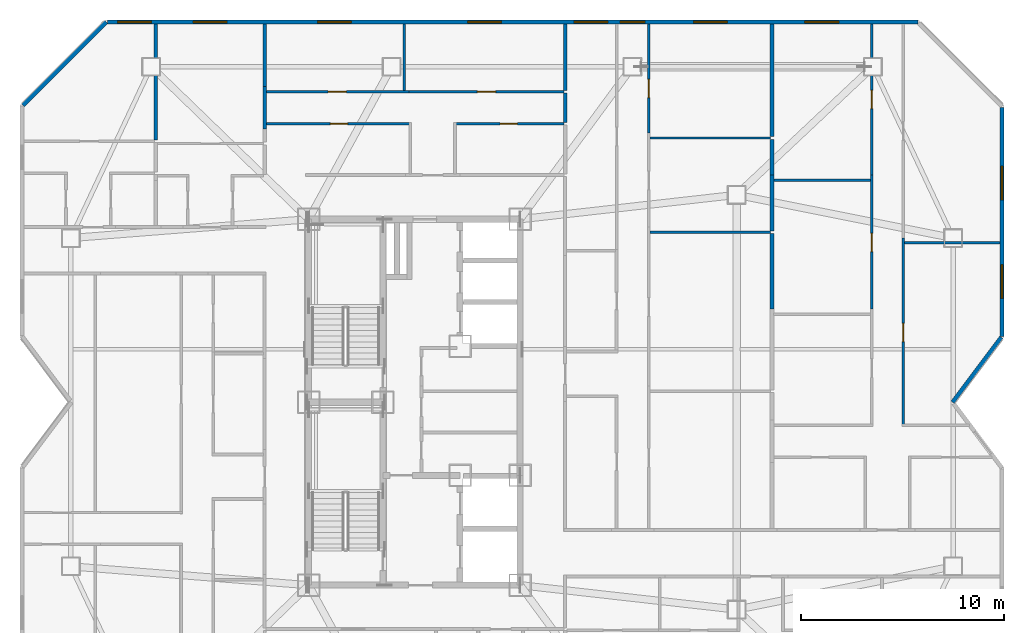
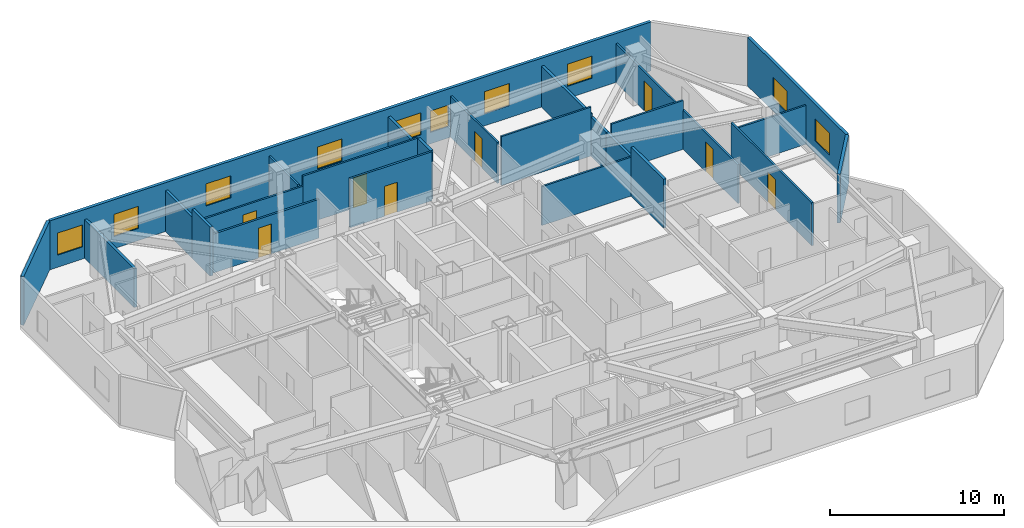
# One storey, part 10 of 13: 26 walls, 10 windows, 8 doors, 18 openings.
"""IFC4 building model written with IfcOpenShell, lengths in metres."""

from ifc_helpers import new_model, si_unit, direction, frame, frame_2d, origin, place, context, subcontext, project, spatial, rectangle, extrude, material, layer, layer_set, type_object, element, fill, save


model = new_model("IFC4")

# Units and contexts
model_context = context("Model", 3, precision=1e-05, world=origin(), true_north=direction((0.0, 1.0)))
body_context = subcontext(model_context, "Body", "Model", "MODEL_VIEW")
ifc_project = project(units=[si_unit("LENGTHUNIT", "METRE"), si_unit("AREAUNIT", "SQUARE_METRE"), si_unit("VOLUMEUNIT", "CUBIC_METRE"), si_unit("PLANEANGLEUNIT", "RADIAN"), si_unit("MASSUNIT", "GRAM", prefix="KILO")], contexts=[model_context])

# Site, building, storey
site_placement = place(None, origin())
site = spatial("IfcSite", under=ifc_project, at=site_placement, CompositionType="ELEMENT")
building_placement = place(site_placement, origin())
building = spatial("IfcBuilding", under=site, at=building_placement, Name="Khamvora Tower", CompositionType="ELEMENT")
storey_placement = place(building_placement, frame((0.0, 0.0, 196.050048828125)))
storey = spatial("IfcBuildingStorey", under=building, at=storey_placement, Name="L50", CompositionType="ELEMENT", Elevation=196.050048828125)

# Walls
ifc_material_1 = material(Name="Acoustic Double-Stud Fire Wall", Category="gypsum")
ifc_layer_1 = layer(ifc_material_1, 0.179931640625)
ifc_layer_set_1 = layer_set([ifc_layer_1], Name="Acoustic Double-Stud Fire Wall")
wall_type_1 = type_object("IfcWallType", Name="WAL-CORR-180", PredefinedType="STANDARD", material=ifc_layer_set_1)
wall_1_placement = place(storey_placement, frame((21.47509765625, 46.60791015625, 0.0), z_axis=(0.0, 0.0, 1.0), x_axis=(0.0, -1.0, 0.0)))
element("IfcWall", 1, at=wall_1_placement, inside=storey, type_object=wall_type_1, Name="L50 interior partition wall 072", PredefinedType="STANDARD", context=body_context, shape_type="SweptSolid", body=[
    extrude(rectangle(XDim=5.705810546875, YDim=0.179931640625, at=frame_2d((2.85302734375, 0.0))), origin(), (0.0, 0.0, 1.0), 2.724853515625),
])
wall_2_placement = place(storey_placement, frame((26.8349609375, 43.52392578125, 0.0), z_axis=(0.0, 0.0, 1.0), x_axis=(0.0, -1.0, 0.0)))
element("IfcWall", 2, at=wall_2_placement, inside=storey, type_object=wall_type_1, Name="L50 interior partition wall 079", PredefinedType="STANDARD", context=body_context, shape_type="SweptSolid", body=[
    extrude(rectangle(XDim=2.077880859375, YDim=0.179931640625, at=frame_2d((1.0390625, 0.0))), origin(), (0.0, 0.0, 1.0), 3.429931640625),
])
wall_3_placement = place(storey_placement, frame((26.8349609375, 46.60791015625, 0.0), z_axis=(0.0, 0.0, 1.0), x_axis=(0.0, -1.0, 0.0)))
element("IfcWall", 3, at=wall_3_placement, inside=storey, type_object=wall_type_1, Name="L50 interior partition wall 081", PredefinedType="STANDARD", context=body_context, shape_type="SweptSolid", body=[
    extrude(rectangle(XDim=3.083984375, YDim=0.179931640625, at=frame_2d((1.5419921875, 0.0))), origin(), (0.0, 0.0, 1.0), 2.8759765625),
])
wall_4_placement = place(storey_placement, frame((41.614990234375, 43.2099609375, 0.0), z_axis=(0.0, 0.0, 1.0), x_axis=(0.0, -1.0, 0.0)))
element("IfcWall", 4, at=wall_4_placement, inside=storey, type_object=wall_type_1, Name="L50 interior partition wall 098", PredefinedType="STANDARD", context=body_context, shape_type="SweptSolid", body=[
    extrude(rectangle(XDim=1.449951171875, YDim=0.179931640625, at=frame_2d((0.72509765625, 0.0))), origin(), (0.0, 0.0, 1.0), 3.429931640625),
])
wall_5_placement = place(storey_placement, frame((41.614990234375, 46.60791015625, 0.0), z_axis=(0.0, 0.0, 1.0), x_axis=(0.0, -1.0, 0.0)))
element("IfcWall", 5, at=wall_5_placement, inside=storey, type_object=wall_type_1, Name="L50 interior partition wall 101", PredefinedType="STANDARD", context=body_context, shape_type="SweptSolid", body=[
    extrude(rectangle(XDim=3.267822265625, YDim=0.179931640625, at=frame_2d((1.6337890625, 0.0))), origin(), (0.0, 0.0, 1.0), 2.8759765625),
])
wall_6_placement = place(storey_placement, frame((51.784912109375, 36.300048828125, 0.0), z_axis=(0.0, 0.0, 1.0), x_axis=(0.0, -1.0, 0.0)))
element("IfcWall", 6, at=wall_6_placement, inside=storey, type_object=wall_type_1, Name="L50 interior partition wall 131", PredefinedType="STANDARD", context=body_context, shape_type="SweptSolid", body=[
    extrude(rectangle(XDim=3.715087890625, YDim=0.179931640625, at=frame_2d((1.857421875, 0.0))), origin(), (0.0, 0.0, 1.0), 3.429931640625),
])
wall_7_placement = place(storey_placement, frame((51.784912109375, 39.1689453125, 0.0), z_axis=(0.0, 0.0, 1.0), x_axis=(0.0, -1.0, 0.0)))
element("IfcWall", 7, at=wall_7_placement, inside=storey, type_object=wall_type_1, Name="L50 interior partition wall 133", PredefinedType="STANDARD", context=body_context, shape_type="SweptSolid", body=[
    extrude(rectangle(XDim=2.739013671875, YDim=0.179931640625, at=frame_2d((1.36962890625, 0.0))), origin(), (0.0, 0.0, 1.0), 2.724853515625),
])
wall_8_placement = place(storey_placement, frame((51.784912109375, 40.929931640625, 0.0), z_axis=(0.0, 0.0, 1.0), x_axis=(0.0, -1.0, 0.0)))
element("IfcWall", 8, at=wall_8_placement, inside=storey, type_object=wall_type_1, Name="L50 interior partition wall 134", PredefinedType="STANDARD", context=body_context, shape_type="SweptSolid", body=[
    extrude(rectangle(XDim=1.760986328125, YDim=0.179931640625, at=frame_2d((0.88037109375, 0.0))), origin(), (0.0, 0.0, 1.0), 2.724853515625),
])
wall_9_placement = place(storey_placement, frame((51.784912109375, 46.60791015625, 0.0), z_axis=(0.0, 0.0, 1.0), x_axis=(0.0, -1.0, 0.0)))
element("IfcWall", 9, at=wall_9_placement, inside=storey, type_object=wall_type_1, Name="L50 interior partition wall 135", PredefinedType="STANDARD", context=body_context, shape_type="SweptSolid", body=[
    extrude(rectangle(XDim=5.5478515625, YDim=0.179931640625, at=frame_2d((2.77392578125, 0.0))), origin(), (0.0, 0.0, 1.0), 2.8759765625),
])
ifc_material_2 = material(Name="Precast concrete C40/50", Category="concrete")
ifc_layer_2 = layer(ifc_material_2, 0.199951171875)
ifc_layer_set_2 = layer_set([ifc_layer_2], Name="Precast concrete C40/50")
wall_type_2 = type_object("IfcWallType", Name="WAL-EXT-200", PredefinedType="STANDARD", material=ifc_layer_set_2)
wall_10_placement = place(storey_placement, frame((14.945068359375, 42.60400390625, 0.0), z_axis=(0.0, 0.0, 1.0), x_axis=(0.707106781187, 0.707106781187, 0.0)))
element("IfcWall", 10, at=wall_10_placement, inside=storey, type_object=wall_type_2, Name="L50 exterior facade wall 06.1", PredefinedType="STANDARD", context=body_context, shape_type="SweptSolid", body=[
    extrude(rectangle(XDim=5.79248046875, YDim=0.199951171875, at=frame_2d((2.896240234375, 0.0))), origin(), (0.0, 0.0, 1.0), 3.429931640625),
])

# Wall, openings, windows
wall_11_placement = place(storey_placement, frame((19.10205078125, 46.699951171875, 0.0), z_axis=(0.0, 0.0, 1.0), x_axis=(1.0, 0.0, 0.0)))
wall_11 = element("IfcWall", 11, at=wall_11_placement, inside=storey, type_object=wall_type_2, Name="L50 exterior facade wall 07.1", PredefinedType="STANDARD", context=body_context, shape_type="SweptSolid", body=[
    extrude(rectangle(XDim=39.85693359375, YDim=0.199951171875, at=frame_2d((19.928466796875, 0.0))), origin(), (0.0, 0.0, 1.0), 3.429931640625),
])
opening_1_placement = place(wall_11_placement, frame((0.50390625, 0.0, 0.85009765625)))
opening_1 = element("IfcOpeningElement", 12, at=opening_1_placement, cuts=wall_11, Name="Opening WN-06", PredefinedType="OPENING", context=body_context, shape_type="SweptSolid", body=[
    extrude(rectangle(XDim=1.64990234375, YDim=1.550048828125, at=frame_2d((0.824951171875, 0.77490234375))), frame((0.0, 0.10986328125, 0.0), z_axis=(0.0, -1.0, 0.0), x_axis=(1.0, 0.0, 0.0)), (0.0, 0.0, 1.0), 0.219970703125),
])
opening_2_placement = place(wall_11_placement, frame((4.22802734375, 0.0, 0.85009765625)))
opening_2 = element("IfcOpeningElement", 13, at=opening_2_placement, cuts=wall_11, Name="Opening WN-06", PredefinedType="OPENING", context=body_context, shape_type="SweptSolid", body=[
    extrude(rectangle(XDim=1.64990234375, YDim=1.550048828125, at=frame_2d((0.824951171875, 0.77490234375))), frame((0.0, 0.10986328125, 0.0), z_axis=(0.0, -1.0, 0.0), x_axis=(1.0, 0.0, 0.0)), (0.0, 0.0, 1.0), 0.219970703125),
])
opening_3_placement = place(wall_11_placement, frame((10.3359375, 0.0, 0.85009765625)))
opening_3 = element("IfcOpeningElement", 14, at=opening_3_placement, cuts=wall_11, Name="Opening WN-06", PredefinedType="OPENING", context=body_context, shape_type="SweptSolid", body=[
    extrude(rectangle(XDim=1.64990234375, YDim=1.550048828125, at=frame_2d((0.824951171875, 0.77490234375))), frame((0.0, 0.10986328125, 0.0), z_axis=(0.0, -1.0, 0.0), x_axis=(1.0, 0.0, 0.0)), (0.0, 0.0, 1.0), 0.219970703125),
])
opening_4_placement = place(wall_11_placement, frame((17.72607421875, 0.0, 0.85009765625)))
opening_4 = element("IfcOpeningElement", 15, at=opening_4_placement, cuts=wall_11, Name="Opening WN-06", PredefinedType="OPENING", context=body_context, shape_type="SweptSolid", body=[
    extrude(rectangle(XDim=1.64990234375, YDim=1.550048828125, at=frame_2d((0.824951171875, 0.77490234375))), frame((0.0, 0.10986328125, 0.0), z_axis=(0.0, -1.0, 0.0), x_axis=(1.0, 0.0, 0.0)), (0.0, 0.0, 1.0), 0.219970703125),
])
opening_5_placement = place(wall_11_placement, frame((22.952880859375, 0.0, 0.85009765625)))
opening_5 = element("IfcOpeningElement", 16, at=opening_5_placement, cuts=wall_11, Name="Opening WN-06", PredefinedType="OPENING", context=body_context, shape_type="SweptSolid", body=[
    extrude(rectangle(XDim=1.64990234375, YDim=1.550048828125, at=frame_2d((0.824951171875, 0.77490234375))), frame((0.0, 0.10986328125, 0.0), z_axis=(0.0, -1.0, 0.0), x_axis=(1.0, 0.0, 0.0)), (0.0, 0.0, 1.0), 0.219970703125),
])
opening_6_placement = place(wall_11_placement, frame((25.23291015625, 0.0, 0.800048828125)))
opening_6 = element("IfcOpeningElement", 17, at=opening_6_placement, cuts=wall_11, Name="Opening WN-03", PredefinedType="OPENING", context=body_context, shape_type="SweptSolid", body=[
    extrude(rectangle(XDim=1.199951171875, YDim=1.5, at=frame_2d((0.60009765625, 0.75))), frame((0.0, 0.10986328125, 0.0), z_axis=(0.0, -1.0, 0.0), x_axis=(1.0, 0.0, 0.0)), (0.0, 0.0, 1.0), 0.219970703125),
])
opening_7_placement = place(wall_11_placement, frame((28.827880859375, 0.0, 0.85009765625)))
opening_7 = element("IfcOpeningElement", 18, at=opening_7_placement, cuts=wall_11, Name="Opening WN-06", PredefinedType="OPENING", context=body_context, shape_type="SweptSolid", body=[
    extrude(rectangle(XDim=1.64990234375, YDim=1.550048828125, at=frame_2d((0.824951171875, 0.77490234375))), frame((0.0, 0.10986328125, 0.0), z_axis=(0.0, -1.0, 0.0), x_axis=(1.0, 0.0, 0.0)), (0.0, 0.0, 1.0), 0.219970703125),
])
opening_8_placement = place(wall_11_placement, frame((34.30810546875, 0.0, 0.85009765625)))
opening_8 = element("IfcOpeningElement", 19, at=opening_8_placement, cuts=wall_11, Name="Opening WN-06", PredefinedType="OPENING", context=body_context, shape_type="SweptSolid", body=[
    extrude(rectangle(XDim=1.64990234375, YDim=1.550048828125, at=frame_2d((0.824951171875, 0.77490234375))), frame((0.0, 0.10986328125, 0.0), z_axis=(0.0, -1.0, 0.0), x_axis=(1.0, 0.0, 0.0)), (0.0, 0.0, 1.0), 0.219970703125),
])
ifc_material_3 = material(Name="Low-E Laminated Double Glazing", Category="glass")
window_type_1 = type_object("IfcWindowType", Name="WIN-VIS-1200x1500", PartitioningType="SINGLE_PANEL", PredefinedType="WINDOW", material=ifc_material_3)
window_1_placement = place(opening_6_placement, origin())
window_1 = element("IfcWindow", 20, at=window_1_placement, inside=storey, type_object=window_type_1, Name="L50 vision window 07.1.06", OverallHeight=1.5, OverallWidth=1.199951171875, PartitioningType="SINGLE_PANEL", PredefinedType="WINDOW", context=body_context, shape_type="SweptSolid", body=[
    extrude(rectangle(XDim=1.199951171875, YDim=1.5, at=frame_2d((0.60009765625, 0.75))), frame((0.0, 0.030029296875, 0.0), z_axis=(0.0, -1.0, 0.0), x_axis=(1.0, 0.0, 0.0)), (0.0, 0.0, 1.0), 0.06005859375),
])
fill(opening_6, window_1)
window_type_2 = type_object("IfcWindowType", Name="WIN-VIS-1650x1550", PartitioningType="SINGLE_PANEL", PredefinedType="WINDOW", material=ifc_material_3)
window_2_placement = place(opening_1_placement, origin())
window_2 = element("IfcWindow", 21, at=window_2_placement, inside=storey, type_object=window_type_2, Name="L50 vision window 07.1.01", OverallHeight=1.550048828125, OverallWidth=1.64990234375, PartitioningType="SINGLE_PANEL", PredefinedType="WINDOW", context=body_context, shape_type="SweptSolid", body=[
    extrude(rectangle(XDim=1.64990234375, YDim=1.550048828125, at=frame_2d((0.824951171875, 0.77490234375))), frame((0.0, 0.030029296875, 0.0), z_axis=(0.0, -1.0, 0.0), x_axis=(1.0, 0.0, 0.0)), (0.0, 0.0, 1.0), 0.06005859375),
])
fill(opening_1, window_2)
window_3_placement = place(opening_2_placement, origin())
window_3 = element("IfcWindow", 22, at=window_3_placement, inside=storey, type_object=window_type_2, Name="L50 vision window 07.1.02", OverallHeight=1.550048828125, OverallWidth=1.64990234375, PartitioningType="SINGLE_PANEL", PredefinedType="WINDOW", context=body_context, shape_type="SweptSolid", body=[
    extrude(rectangle(XDim=1.64990234375, YDim=1.550048828125, at=frame_2d((0.824951171875, 0.77490234375))), frame((0.0, 0.030029296875, 0.0), z_axis=(0.0, -1.0, 0.0), x_axis=(1.0, 0.0, 0.0)), (0.0, 0.0, 1.0), 0.06005859375),
])
fill(opening_2, window_3)
window_4_placement = place(opening_3_placement, origin())
window_4 = element("IfcWindow", 23, at=window_4_placement, inside=storey, type_object=window_type_2, Name="L50 vision window 07.1.03", OverallHeight=1.550048828125, OverallWidth=1.64990234375, PartitioningType="SINGLE_PANEL", PredefinedType="WINDOW", context=body_context, shape_type="SweptSolid", body=[
    extrude(rectangle(XDim=1.64990234375, YDim=1.550048828125, at=frame_2d((0.824951171875, 0.77490234375))), frame((0.0, 0.030029296875, 0.0), z_axis=(0.0, -1.0, 0.0), x_axis=(1.0, 0.0, 0.0)), (0.0, 0.0, 1.0), 0.06005859375),
])
fill(opening_3, window_4)
window_5_placement = place(opening_4_placement, origin())
window_5 = element("IfcWindow", 24, at=window_5_placement, inside=storey, type_object=window_type_2, Name="L50 vision window 07.1.04", OverallHeight=1.550048828125, OverallWidth=1.64990234375, PartitioningType="SINGLE_PANEL", PredefinedType="WINDOW", context=body_context, shape_type="SweptSolid", body=[
    extrude(rectangle(XDim=1.64990234375, YDim=1.550048828125, at=frame_2d((0.824951171875, 0.77490234375))), frame((0.0, 0.030029296875, 0.0), z_axis=(0.0, -1.0, 0.0), x_axis=(1.0, 0.0, 0.0)), (0.0, 0.0, 1.0), 0.06005859375),
])
fill(opening_4, window_5)
window_6_placement = place(opening_5_placement, origin())
window_6 = element("IfcWindow", 25, at=window_6_placement, inside=storey, type_object=window_type_2, Name="L50 vision window 07.1.05", OverallHeight=1.550048828125, OverallWidth=1.64990234375, PartitioningType="SINGLE_PANEL", PredefinedType="WINDOW", context=body_context, shape_type="SweptSolid", body=[
    extrude(rectangle(XDim=1.64990234375, YDim=1.550048828125, at=frame_2d((0.824951171875, 0.77490234375))), frame((0.0, 0.030029296875, 0.0), z_axis=(0.0, -1.0, 0.0), x_axis=(1.0, 0.0, 0.0)), (0.0, 0.0, 1.0), 0.06005859375),
])
fill(opening_5, window_6)
window_7_placement = place(opening_7_placement, origin())
window_7 = element("IfcWindow", 26, at=window_7_placement, inside=storey, type_object=window_type_2, Name="L50 vision window 07.1.07", OverallHeight=1.550048828125, OverallWidth=1.64990234375, PartitioningType="SINGLE_PANEL", PredefinedType="WINDOW", context=body_context, shape_type="SweptSolid", body=[
    extrude(rectangle(XDim=1.64990234375, YDim=1.550048828125, at=frame_2d((0.824951171875, 0.77490234375))), frame((0.0, 0.030029296875, 0.0), z_axis=(0.0, -1.0, 0.0), x_axis=(1.0, 0.0, 0.0)), (0.0, 0.0, 1.0), 0.06005859375),
])
fill(opening_7, window_7)
window_8_placement = place(opening_8_placement, origin())
window_8 = element("IfcWindow", 27, at=window_8_placement, inside=storey, type_object=window_type_2, Name="L50 vision window 07.1.08", OverallHeight=1.550048828125, OverallWidth=1.64990234375, PartitioningType="SINGLE_PANEL", PredefinedType="WINDOW", context=body_context, shape_type="SweptSolid", body=[
    extrude(rectangle(XDim=1.64990234375, YDim=1.550048828125, at=frame_2d((0.824951171875, 0.77490234375))), frame((0.0, 0.030029296875, 0.0), z_axis=(0.0, -1.0, 0.0), x_axis=(1.0, 0.0, 0.0)), (0.0, 0.0, 1.0), 0.06005859375),
])
fill(opening_8, window_8)

wall_12_placement = place(storey_placement, frame((63.10009765625, 42.49609375, 0.0), z_axis=(0.0, 0.0, 1.0), x_axis=(0.0, -1.0, 0.0)))
wall_12 = element("IfcWall", 28, at=wall_12_placement, inside=storey, type_object=wall_type_2, Name="L50 exterior facade wall 09.1", PredefinedType="STANDARD", context=body_context, shape_type="SweptSolid", body=[
    extrude(rectangle(XDim=11.26318359375, YDim=0.199951171875, at=frame_2d((5.631591796875, 0.0))), origin(), (0.0, 0.0, 1.0), 3.429931640625),
])
opening_9_placement = place(wall_12_placement, frame((7.743896484375, 0.0, 0.85009765625)))
opening_9 = element("IfcOpeningElement", 29, at=opening_9_placement, cuts=wall_12, Name="Opening WN-06", PredefinedType="OPENING", context=body_context, shape_type="SweptSolid", body=[
    extrude(rectangle(XDim=1.64990234375, YDim=1.550048828125, at=frame_2d((0.824951171875, 0.77490234375))), frame((0.0, 0.10986328125, 0.0), z_axis=(0.0, -1.0, 0.0), x_axis=(1.0, 0.0, 0.0)), (0.0, 0.0, 1.0), 0.219970703125),
])
opening_10_placement = place(wall_12_placement, frame((2.89697265625, 0.0, 0.85009765625)))
opening_10 = element("IfcOpeningElement", 30, at=opening_10_placement, cuts=wall_12, Name="Opening WN-06", PredefinedType="OPENING", context=body_context, shape_type="SweptSolid", body=[
    extrude(rectangle(XDim=1.64990234375, YDim=1.550048828125, at=frame_2d((0.824951171875, 0.77490234375))), frame((0.0, 0.10986328125, 0.0), z_axis=(0.0, -1.0, 0.0), x_axis=(1.0, 0.0, 0.0)), (0.0, 0.0, 1.0), 0.219970703125),
])
window_9_placement = place(opening_9_placement, origin())
window_9 = element("IfcWindow", 31, at=window_9_placement, inside=storey, type_object=window_type_2, Name="L50 vision window 09.1.01", OverallHeight=1.550048828125, OverallWidth=1.64990234375, PartitioningType="SINGLE_PANEL", PredefinedType="WINDOW", context=body_context, shape_type="SweptSolid", body=[
    extrude(rectangle(XDim=1.64990234375, YDim=1.550048828125, at=frame_2d((0.824951171875, 0.77490234375))), frame((0.0, 0.030029296875, 0.0), z_axis=(0.0, -1.0, 0.0), x_axis=(1.0, 0.0, 0.0)), (0.0, 0.0, 1.0), 0.06005859375),
])
fill(opening_9, window_9)
window_10_placement = place(opening_10_placement, origin())
window_10 = element("IfcWindow", 32, at=window_10_placement, inside=storey, type_object=window_type_2, Name="L50 vision window 09.1.02", OverallHeight=1.550048828125, OverallWidth=1.64990234375, PartitioningType="SINGLE_PANEL", PredefinedType="WINDOW", context=body_context, shape_type="SweptSolid", body=[
    extrude(rectangle(XDim=1.64990234375, YDim=1.550048828125, at=frame_2d((0.824951171875, 0.77490234375))), frame((0.0, 0.030029296875, 0.0), z_axis=(0.0, -1.0, 0.0), x_axis=(1.0, 0.0, 0.0)), (0.0, 0.0, 1.0), 0.06005859375),
])
fill(opening_10, window_10)

# Wall
wall_13_placement = place(storey_placement, frame((63.069091796875, 31.19091796875, 0.0), z_axis=(0.0, 0.0, 1.0), x_axis=(-0.600137081448, -0.799897170561, 0.0)))
element("IfcWall", 33, at=wall_13_placement, inside=storey, type_object=wall_type_2, Name="L50 exterior facade wall 10.1", PredefinedType="STANDARD", context=body_context, shape_type="SweptSolid", body=[
    extrude(rectangle(XDim=3.9892578125, YDim=0.199951171875, at=frame_2d((1.99462890625, 0.0))), origin(), (0.0, 0.0, 1.0), 3.429931640625),
])

# Wall, opening, door
ifc_material_4 = material(Name="Gypsum Plasterboard Partition", Category="gypsum")
ifc_layer_3 = layer(ifc_material_4, 0.1201171875)
ifc_layer_set_3 = layer_set([ifc_layer_3], Name="Gypsum Plasterboard Partition")
wall_type_3 = type_object("IfcWallType", Name="WAL-PART-120", PredefinedType="PARTITIONING", material=ifc_layer_set_3)
wall_14_placement = place(storey_placement, frame((26.9169921875, 43.27490234375, 0.0), z_axis=(0.0, 0.0, 1.0), x_axis=(1.0, 0.0, 0.0)))
wall_14 = element("IfcWall", 34, at=wall_14_placement, inside=storey, type_object=wall_type_3, Name="L50 interior partition wall 096", PredefinedType="PARTITIONING", context=body_context, shape_type="SweptSolid", body=[
    extrude(rectangle(XDim=7.02197265625, YDim=0.1201171875, at=frame_2d((3.510986328125, 0.0))), origin(), (0.0, 0.0, 1.0), 2.724853515625),
])
opening_11_placement = place(wall_14_placement, frame((3.0400390625, 0.0, 0.0)))
opening_11 = element("IfcOpeningElement", 35, at=opening_11_placement, cuts=wall_14, Name="Opening D-RM1", PredefinedType="OPENING", context=body_context, shape_type="SweptSolid", body=[
    extrude(rectangle(XDim=0.89990234375, YDim=2.10009765625, at=frame_2d((0.449951171875, 1.050048828125))), frame((0.0, 0.070068359375, 0.0), z_axis=(0.0, -1.0, 0.0), x_axis=(1.0, 0.0, 0.0)), (0.0, 0.0, 1.0), 0.14013671875),
])
ifc_material_5 = material(Name="Powder-Coated Steel and Hardwood Leaf", Category="steel")
door_type_1 = type_object("IfcDoorType", Name="DOR-ROOM-900", OperationType="NOTDEFINED", PredefinedType="DOOR", material=ifc_material_5)
door_1_placement = place(opening_11_placement, origin())
door_1 = element("IfcDoor", 36, at=door_1_placement, inside=storey, type_object=door_type_1, Name="L50 interior door 50NAH-50NAL", OperationType="SINGLE_SWING_RIGHT", OverallHeight=2.10009765625, OverallWidth=0.89990234375, PredefinedType="DOOR", context=body_context, shape_type="SweptSolid", body=[
    extrude(rectangle(XDim=0.89990234375, YDim=2.10009765625, at=frame_2d((0.449951171875, 1.050048828125))), frame((0.0, 0.02490234375, 0.0), z_axis=(0.0, -1.0, 0.0), x_axis=(1.0, 0.0, 0.0)), (0.0, 0.0, 1.0), 0.050048828125),
])
fill(opening_11, door_1)

wall_15_placement = place(storey_placement, frame((33.93896484375, 43.27490234375, 0.0), z_axis=(0.0, 0.0, 1.0), x_axis=(1.0, 0.0, 0.0)))
wall_15 = element("IfcWall", 37, at=wall_15_placement, inside=storey, type_object=wall_type_3, Name="L50 interior partition wall 097", PredefinedType="PARTITIONING", context=body_context, shape_type="SweptSolid", body=[
    extrude(rectangle(XDim=7.611083984375, YDim=0.1201171875, at=frame_2d((3.8056640625, 0.0))), origin(), (0.0, 0.0, 1.0), 3.429931640625),
])
opening_12_placement = place(wall_15_placement, frame((3.35498046875, 0.0, 0.0)))
opening_12 = element("IfcOpeningElement", 38, at=opening_12_placement, cuts=wall_15, Name="Opening D-RM1", PredefinedType="OPENING", context=body_context, shape_type="SweptSolid", body=[
    extrude(rectangle(XDim=0.89990234375, YDim=2.10009765625, at=frame_2d((0.449951171875, 1.050048828125))), frame((0.0, 0.070068359375, 0.0), z_axis=(0.0, -1.0, 0.0), x_axis=(1.0, 0.0, 0.0)), (0.0, 0.0, 1.0), 0.14013671875),
])
door_2_placement = place(opening_12_placement, origin())
door_2 = element("IfcDoor", 39, at=door_2_placement, inside=storey, type_object=door_type_1, Name="L50 interior door 50NAH-50NAR2", OperationType="SINGLE_SWING_LEFT", OverallHeight=2.10009765625, OverallWidth=0.89990234375, PredefinedType="DOOR", context=body_context, shape_type="SweptSolid", body=[
    extrude(rectangle(XDim=0.89990234375, YDim=2.10009765625, at=frame_2d((0.449951171875, 1.050048828125))), frame((0.0, 0.02490234375, 0.0), z_axis=(0.0, -1.0, 0.0), x_axis=(1.0, 0.0, 0.0)), (0.0, 0.0, 1.0), 0.050048828125),
])
fill(opening_12, door_2)

# Wall
wall_16_placement = place(storey_placement, frame((33.68994140625, 46.60791015625, 0.0), z_axis=(0.0, 0.0, 1.0), x_axis=(0.0, -1.0, 0.0)))
element("IfcWall", 40, at=wall_16_placement, inside=storey, type_object=wall_type_3, Name="L50 interior partition wall 100", PredefinedType="PARTITIONING", context=body_context, shape_type="SweptSolid", body=[
    extrude(rectangle(XDim=3.27880859375, YDim=0.1201171875, at=frame_2d((1.639404296875, 0.0))), origin(), (0.0, 0.0, 1.0), 2.8759765625),
])

# Wall, opening, door
wall_17_placement = place(storey_placement, frame((45.72509765625, 46.60791015625, 0.0), z_axis=(0.0, 0.0, 1.0), x_axis=(0.0, -1.0, 0.0)))
wall_17 = element("IfcWall", 41, at=wall_17_placement, inside=storey, type_object=wall_type_3, Name="L50 interior partition wall 124", PredefinedType="PARTITIONING", context=body_context, shape_type="SweptSolid", body=[
    extrude(rectangle(XDim=5.364013671875, YDim=0.1201171875, at=frame_2d((2.68212890625, 0.0))), origin(), (0.0, 0.0, 1.0), 2.8759765625),
])
opening_13_placement = place(wall_17_placement, frame((2.73193359375, 0.0, 0.0)))
opening_13 = element("IfcOpeningElement", 42, at=opening_13_placement, cuts=wall_17, Name="Opening D-RM1", PredefinedType="OPENING", context=body_context, shape_type="SweptSolid", body=[
    extrude(rectangle(XDim=0.89990234375, YDim=2.10009765625, at=frame_2d((0.449951171875, 1.050048828125))), frame((0.0, 0.070068359375, 0.0), z_axis=(0.0, -1.0, 0.0), x_axis=(1.0, 0.0, 0.0)), (0.0, 0.0, 1.0), 0.14013671875),
])
door_3_placement = place(opening_13_placement, origin())
door_3 = element("IfcDoor", 43, at=door_3_placement, inside=storey, type_object=door_type_1, Name="L50 interior door 50EBH-50EBR4", OperationType="SINGLE_SWING_RIGHT", OverallHeight=2.10009765625, OverallWidth=0.89990234375, PredefinedType="DOOR", context=body_context, shape_type="SweptSolid", body=[
    extrude(rectangle(XDim=0.89990234375, YDim=2.10009765625, at=frame_2d((0.449951171875, 1.050048828125))), frame((0.0, 0.02490234375, 0.0), z_axis=(0.0, -1.0, 0.0), x_axis=(1.0, 0.0, 0.0)), (0.0, 0.0, 1.0), 0.050048828125),
])
fill(opening_13, door_3)

# Walls
wall_18_placement = place(storey_placement, frame((45.779052734375, 36.364990234375, 0.0), z_axis=(0.0, 0.0, 1.0), x_axis=(1.0, 0.0, 0.0)))
element("IfcWall", 44, at=wall_18_placement, inside=storey, type_object=wall_type_3, Name="L50 interior partition wall 129", PredefinedType="PARTITIONING", context=body_context, shape_type="SweptSolid", body=[
    extrude(rectangle(XDim=5.94091796875, YDim=0.1201171875, at=frame_2d((2.970458984375, 0.0))), origin(), (0.0, 0.0, 1.0), 2.724853515625),
])
wall_19_placement = place(storey_placement, frame((45.779052734375, 40.9951171875, 0.0), z_axis=(0.0, 0.0, 1.0), x_axis=(1.0, 0.0, 0.0)))
element("IfcWall", 45, at=wall_19_placement, inside=storey, type_object=wall_type_3, Name="L50 interior partition wall 132", PredefinedType="PARTITIONING", context=body_context, shape_type="SweptSolid", body=[
    extrude(rectangle(XDim=5.94091796875, YDim=0.1201171875, at=frame_2d((2.970458984375, 0.0))), origin(), (0.0, 0.0, 1.0), 3.429931640625),
])

# Wall, opening, door
wall_20_placement = place(storey_placement, frame((56.68505859375, 32.5849609375, 0.0), z_axis=(0.0, 0.0, 1.0), x_axis=(0.0, 1.0, 0.0)))
wall_20 = element("IfcWall", 46, at=wall_20_placement, inside=storey, type_object=wall_type_3, Name="L50 interior partition wall 142", PredefinedType="PARTITIONING", context=body_context, shape_type="SweptSolid", body=[
    extrude(rectangle(XDim=6.583984375, YDim=0.1201171875, at=frame_2d((3.2919921875, 0.0))), origin(), (0.0, 0.0, 1.0), 2.724853515625),
])
opening_14_placement = place(wall_20_placement, frame((2.821044921875, 0.0, 0.0)))
opening_14 = element("IfcOpeningElement", 47, at=opening_14_placement, cuts=wall_20, Name="Opening D-RM1", PredefinedType="OPENING", context=body_context, shape_type="SweptSolid", body=[
    extrude(rectangle(XDim=0.89990234375, YDim=2.10009765625, at=frame_2d((0.449951171875, 1.050048828125))), frame((0.0, 0.070068359375, 0.0), z_axis=(0.0, -1.0, 0.0), x_axis=(1.0, 0.0, 0.0)), (0.0, 0.0, 1.0), 0.14013671875),
])
door_4_placement = place(opening_14_placement, origin())
door_4 = element("IfcDoor", 48, at=door_4_placement, inside=storey, type_object=door_type_1, Name="L50 interior door 50ECH-50ECR2", OperationType="SINGLE_SWING_LEFT", OverallHeight=2.10009765625, OverallWidth=0.89990234375, PredefinedType="DOOR", context=body_context, shape_type="SweptSolid", body=[
    extrude(rectangle(XDim=0.89990234375, YDim=2.10009765625, at=frame_2d((0.449951171875, 1.050048828125))), frame((0.0, 0.02490234375, 0.0), z_axis=(0.0, -1.0, 0.0), x_axis=(1.0, 0.0, 0.0)), (0.0, 0.0, 1.0), 0.050048828125),
])
fill(opening_14, door_4)

wall_21_placement = place(storey_placement, frame((56.68505859375, 39.1689453125, 0.0), z_axis=(0.0, 0.0, 1.0), x_axis=(0.0, 1.0, 0.0)))
wall_21 = element("IfcWall", 49, at=wall_21_placement, inside=storey, type_object=wall_type_3, Name="L50 interior partition wall 143", PredefinedType="PARTITIONING", context=body_context, shape_type="SweptSolid", body=[
    extrude(rectangle(XDim=7.43896484375, YDim=0.1201171875, at=frame_2d((3.719482421875, 0.0))), origin(), (0.0, 0.0, 1.0), 2.724853515625),
])
opening_15_placement = place(wall_21_placement, frame((3.26904296875, 0.0, 0.0)))
opening_15 = element("IfcOpeningElement", 50, at=opening_15_placement, cuts=wall_21, Name="Opening D-RM1", PredefinedType="OPENING", context=body_context, shape_type="SweptSolid", body=[
    extrude(rectangle(XDim=0.89990234375, YDim=2.10009765625, at=frame_2d((0.449951171875, 1.050048828125))), frame((0.0, 0.070068359375, 0.0), z_axis=(0.0, -1.0, 0.0), x_axis=(1.0, 0.0, 0.0)), (0.0, 0.0, 1.0), 0.14013671875),
])
door_5_placement = place(opening_15_placement, origin())
door_5 = element("IfcDoor", 51, at=door_5_placement, inside=storey, type_object=door_type_1, Name="L50 interior door 50ECH-50ECR3", OperationType="SINGLE_SWING_LEFT", OverallHeight=2.10009765625, OverallWidth=0.89990234375, PredefinedType="DOOR", context=body_context, shape_type="SweptSolid", body=[
    extrude(rectangle(XDim=0.89990234375, YDim=2.10009765625, at=frame_2d((0.449951171875, 1.050048828125))), frame((0.0, 0.02490234375, 0.0), z_axis=(0.0, -1.0, 0.0), x_axis=(1.0, 0.0, 0.0)), (0.0, 0.0, 1.0), 0.050048828125),
])
fill(opening_15, door_5)

wall_22_placement = place(storey_placement, frame((58.2548828125, 36.0859375, 0.0), z_axis=(0.0, 0.0, 1.0), x_axis=(0.0, -1.0, 0.0)))
wall_22 = element("IfcWall", 52, at=wall_22_placement, inside=storey, type_object=wall_type_3, Name="L50 interior partition wall 144", PredefinedType="PARTITIONING", context=body_context, shape_type="SweptSolid", body=[
    extrude(rectangle(XDim=9.27587890625, YDim=0.1201171875, at=frame_2d((4.637939453125, 0.0))), origin(), (0.0, 0.0, 1.0), 3.012939453125),
])
opening_16_placement = place(wall_22_placement, frame((4.208984375, 0.0, 0.0)))
opening_16 = element("IfcOpeningElement", 53, at=opening_16_placement, cuts=wall_22, Name="Opening D-RM1", PredefinedType="OPENING", context=body_context, shape_type="SweptSolid", body=[
    extrude(rectangle(XDim=0.89990234375, YDim=2.10009765625, at=frame_2d((0.449951171875, 1.050048828125))), frame((0.0, 0.070068359375, 0.0), z_axis=(0.0, -1.0, 0.0), x_axis=(1.0, 0.0, 0.0)), (0.0, 0.0, 1.0), 0.14013671875),
])
door_6_placement = place(opening_16_placement, origin())
door_6 = element("IfcDoor", 54, at=door_6_placement, inside=storey, type_object=door_type_1, Name="L50 interior door 50ECH-50ECR4", OperationType="SINGLE_SWING_LEFT", OverallHeight=2.10009765625, OverallWidth=0.89990234375, PredefinedType="DOOR", context=body_context, shape_type="SweptSolid", body=[
    extrude(rectangle(XDim=0.89990234375, YDim=2.10009765625, at=frame_2d((0.449951171875, 1.050048828125))), frame((0.0, 0.02490234375, 0.0), z_axis=(0.0, -1.0, 0.0), x_axis=(1.0, 0.0, 0.0)), (0.0, 0.0, 1.0), 0.050048828125),
])
fill(opening_16, door_6)

# Walls
wall_23_placement = place(storey_placement, frame((51.866943359375, 38.919921875, 0.0), z_axis=(0.0, 0.0, 1.0), x_axis=(1.0, 0.0, 0.0)))
element("IfcWall", 55, at=wall_23_placement, inside=storey, type_object=wall_type_3, Name="L50 interior partition wall 148", PredefinedType="PARTITIONING", context=body_context, shape_type="SweptSolid", body=[
    extrude(rectangle(XDim=4.76416015625, YDim=0.1201171875, at=frame_2d((2.382080078125, 0.0))), origin(), (0.0, 0.0, 1.0), 3.429931640625),
])
wall_24_placement = place(storey_placement, frame((58.30908203125, 35.8359375, 0.0), z_axis=(0.0, 0.0, 1.0), x_axis=(1.0, 0.0, 0.0)))
element("IfcWall", 56, at=wall_24_placement, inside=storey, type_object=wall_type_3, Name="L50 interior partition wall 149", PredefinedType="PARTITIONING", context=body_context, shape_type="SweptSolid", body=[
    extrude(rectangle(XDim=4.698974609375, YDim=0.1201171875, at=frame_2d((2.349609375, 0.0))), origin(), (0.0, 0.0, 1.0), 2.724853515625),
])

# Wall, opening, door
ifc_material_6 = material(Name="Moisture-Resistant Plasterboard Partition", Category="gypsum")
ifc_layer_4 = layer(ifc_material_6, 0.135009765625)
ifc_layer_set_4 = layer_set([ifc_layer_4], Name="Moisture-Resistant Plasterboard Partition")
wall_type_4 = type_object("IfcWallType", Name="WAL-WET-135", PredefinedType="PARTITIONING", material=ifc_layer_set_4)
wall_25_placement = place(storey_placement, frame((41.550048828125, 41.695068359375, 0.0), z_axis=(0.0, 0.0, 1.0), x_axis=(-1.0, 0.0, 0.0)))
wall_25 = element("IfcWall", 57, at=wall_25_placement, inside=storey, type_object=wall_type_4, Name="L50 interior partition wall 092", PredefinedType="PARTITIONING", context=body_context, shape_type="SweptSolid", body=[
    extrude(rectangle(XDim=5.416015625, YDim=0.135009765625, at=frame_2d((2.7080078125, 0.0))), origin(), (0.0, 0.0, 1.0), 3.429931640625),
])
opening_17_placement = place(wall_25_placement, frame((2.282958984375, 0.0, 0.0)))
opening_17 = element("IfcOpeningElement", 58, at=opening_17_placement, cuts=wall_25, Name="Opening D-WC1", PredefinedType="OPENING", context=body_context, shape_type="SweptSolid", body=[
    extrude(rectangle(XDim=0.85009765625, YDim=2.10009765625, at=frame_2d((0.425048828125, 1.050048828125))), frame((0.0, 0.077392578125, 0.0), z_axis=(0.0, -1.0, 0.0), x_axis=(1.0, 0.0, 0.0)), (0.0, 0.0, 1.0), 0.155029296875),
])
door_type_2 = type_object("IfcDoorType", Name="DOR-WET-850", OperationType="NOTDEFINED", PredefinedType="DOOR", material=ifc_material_5)
door_7_placement = place(opening_17_placement, origin())
door_7 = element("IfcDoor", 59, at=door_7_placement, inside=storey, type_object=door_type_2, Name="L50 interior door 50NAH-50NAB", OperationType="SINGLE_SWING_RIGHT", OverallHeight=2.10009765625, OverallWidth=0.85009765625, PredefinedType="DOOR", context=body_context, shape_type="SweptSolid", body=[
    extrude(rectangle(XDim=0.85009765625, YDim=2.10009765625, at=frame_2d((0.425048828125, 1.050048828125))), frame((0.0, 0.02490234375, 0.0), z_axis=(0.0, -1.0, 0.0), x_axis=(1.0, 0.0, 0.0)), (0.0, 0.0, 1.0), 0.050048828125),
])
fill(opening_17, door_7)

wall_26_placement = place(storey_placement, frame((34.06396484375, 41.695068359375, 0.0), z_axis=(0.0, 0.0, 1.0), x_axis=(-1.0, 0.0, 0.0)))
wall_26 = element("IfcWall", 60, at=wall_26_placement, inside=storey, type_object=wall_type_4, Name="L50 interior partition wall 095", PredefinedType="PARTITIONING", context=body_context, shape_type="SweptSolid", body=[
    extrude(rectangle(XDim=7.14697265625, YDim=0.135009765625, at=frame_2d((3.573486328125, 0.0))), origin(), (0.0, 0.0, 1.0), 2.724853515625),
])
opening_18_placement = place(wall_26_placement, frame((3.14892578125, 0.0, 0.0)))
opening_18 = element("IfcOpeningElement", 61, at=opening_18_placement, cuts=wall_26, Name="Opening D-RM2", PredefinedType="OPENING", context=body_context, shape_type="SweptSolid", body=[
    extrude(rectangle(XDim=0.85009765625, YDim=2.10009765625, at=frame_2d((0.425048828125, 1.050048828125))), frame((0.0, 0.077392578125, 0.0), z_axis=(0.0, -1.0, 0.0), x_axis=(1.0, 0.0, 0.0)), (0.0, 0.0, 1.0), 0.155029296875),
])
door_type_3 = type_object("IfcDoorType", Name="DOR-ROOM-850", OperationType="NOTDEFINED", PredefinedType="DOOR", material=ifc_material_5)
door_8_placement = place(opening_18_placement, origin())
door_8 = element("IfcDoor", 62, at=door_8_placement, inside=storey, type_object=door_type_3, Name="L50 interior door 50NAH-50NAK", OperationType="SINGLE_SWING_LEFT", OverallHeight=2.10009765625, OverallWidth=0.85009765625, PredefinedType="DOOR", context=body_context, shape_type="SweptSolid", body=[
    extrude(rectangle(XDim=0.85009765625, YDim=2.10009765625, at=frame_2d((0.425048828125, 1.050048828125))), frame((0.0, 0.02490234375, 0.0), z_axis=(0.0, -1.0, 0.0), x_axis=(1.0, 0.0, 0.0)), (0.0, 0.0, 1.0), 0.050048828125),
])
fill(opening_18, door_8)

save(model, "model.ifc")
